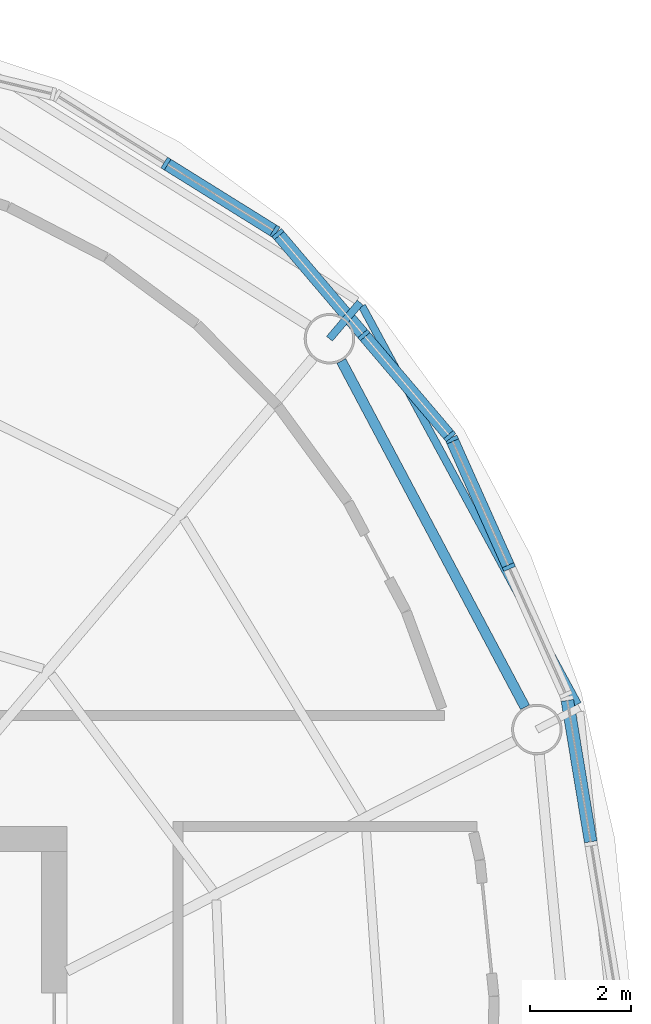
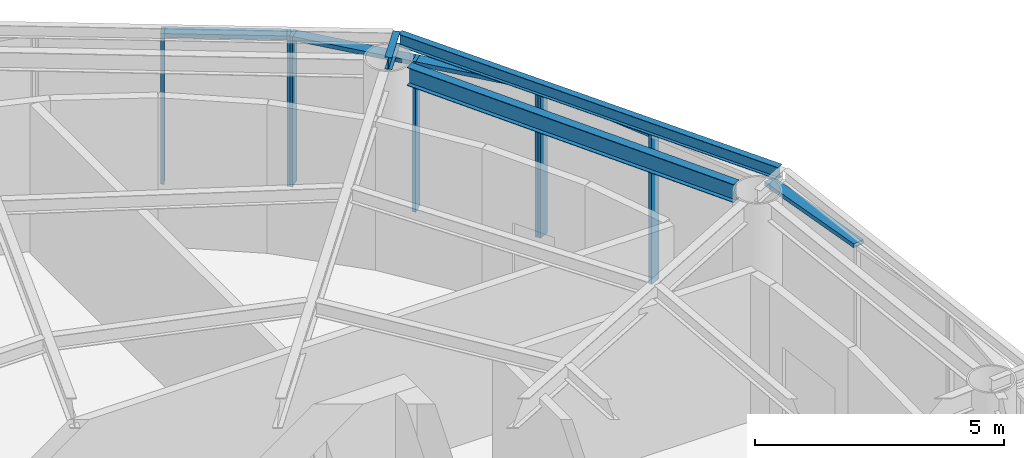
# One storey, part 6 of 11: 12 members, 3 beams, 4 elements without a shape of their own.
"""IFC4 building model written with IfcOpenShell, lengths in metres."""

import ifcopenshell
import ifcopenshell.guid

model = None  # the IFC model being written
_history = None  # IfcOwnerHistory: only IFC2X3 demands one
_inside = {}  # id of a spatial element -> (the spatial element, [elements in it])
_under = {}  # id of a project, library or spatial element -> (it, [spatial elements below it])
_declared = {}  # id of a project -> (the project, [libraries it declares])
_typed = {}  # id of a type object -> (the type object, [elements of that type])
_made_of = {}  # id of a material, layer set ... -> (it, [elements and type objects made of it])


def new_model(schema):
    """Start an empty IFC model of exactly this schema.

    Asked for "IFC4X3", IfcOpenShell would pick the latest addendum, in which some entities
    have other attributes; the version numbers below select the first issue.
    IFC2X3 requires an IfcOwnerHistory on every rooted entity: one is made here for all.
    """
    global model, _history
    if schema == "IFC4X3":
        model = ifcopenshell.file(schema_version=(4, 3, 0, 0))
    else:
        model = ifcopenshell.file(schema=schema)
    _inside.clear()
    _under.clear()
    _declared.clear()
    _typed.clear()
    _made_of.clear()
    _history = None
    if model.schema == "IFC2X3":
        org = make("IfcOrganization", Name="unknown")
        user = make(
            "IfcPersonAndOrganization",
            ThePerson=make("IfcPerson", FamilyName="unknown"),
            TheOrganization=org,
        )
        app = make(
            "IfcApplication",
            ApplicationDeveloper=org,
            Version="unknown",
            ApplicationFullName="unknown",
            ApplicationIdentifier="unknown",
        )
        _history = make(
            "IfcOwnerHistory",
            OwningUser=user,
            OwningApplication=app,
            ChangeAction="ADDED",
            CreationDate=0,
        )
    return model


def make(cls, **values):
    """One entity of the class cls with the attributes given. An attribute that is None is left unset."""
    return model.create_entity(
        cls, **{name: value for name, value in values.items() if value is not None}
    )


def rooted(cls, **values):
    """An entity with a GlobalId (a new one), such as an element, a storey or a relation."""
    return make(cls, GlobalId=ifcopenshell.guid.new(), OwnerHistory=_history, **values)


def si_unit(unit_type, name, prefix=None):
    """IfcSIUnit, for example si_unit("LENGTHUNIT", "METRE", prefix="MILLI")."""
    return make("IfcSIUnit", UnitType=unit_type, Prefix=prefix, Name=name)


def assignment(units):
    """IfcUnitAssignment: the units of a project."""
    return None if units is None else make("IfcUnitAssignment", Units=units)


def point(xyz):
    """IfcCartesianPoint."""
    return None if xyz is None else make("IfcCartesianPoint", Coordinates=xyz)


def direction(xyz):
    """IfcDirection."""
    return None if xyz is None else make("IfcDirection", DirectionRatios=xyz)


def frame(location, z_axis=None, x_axis=None):
    """IfcAxis2Placement3D, a coordinate frame: its origin and axes. An axis left out is left unset."""
    return make(
        "IfcAxis2Placement3D",
        Location=point(location),
        Axis=direction(z_axis),
        RefDirection=direction(x_axis),
    )


def frame_2d(location, x_axis=None):
    """IfcAxis2Placement2D, a coordinate frame in the plane: its origin and x axis."""
    return make(
        "IfcAxis2Placement2D", Location=point(location), RefDirection=direction(x_axis)
    )


def origin():
    """The frame at (0, 0, 0) with its axes left unset."""
    return frame((0.0, 0.0, 0.0))


def origin_2d():
    """The frame at (0, 0) in the plane with its x axis left unset."""
    return frame_2d((0.0, 0.0))


def place(relative_to, where):
    """IfcLocalPlacement: puts the frame where relative to a parent placement (None: the world)."""
    return make(
        "IfcLocalPlacement", PlacementRelTo=relative_to, RelativePlacement=where
    )


def context(
    kind, dimensions, precision=None, world=None, true_north=None, identifier=None
):
    """IfcGeometricRepresentationContext, for example the 3D "Model" context."""
    return make(
        "IfcGeometricRepresentationContext",
        ContextIdentifier=identifier,
        ContextType=kind,
        CoordinateSpaceDimension=dimensions,
        Precision=precision,
        WorldCoordinateSystem=world,
        TrueNorth=true_north,
    )


def subcontext(parent, identifier, kind, view, scale=None):
    """IfcGeometricRepresentationSubContext, for example "Body" below "Model"."""
    return make(
        "IfcGeometricRepresentationSubContext",
        ContextIdentifier=identifier,
        ContextType=kind,
        ParentContext=parent,
        TargetScale=scale,
        TargetView=view,
    )


def project(units=None, contexts=None):
    """IfcProject with its units and contexts."""
    return rooted(
        "IfcProject",
        Name="project",
        RepresentationContexts=contexts,
        UnitsInContext=assignment(units),
    )


def spatial(cls, under=None, at=None, **own):
    """A site, building, storey or space (cls), placed at a placement, below another one or the project."""
    s = rooted(cls, ObjectPlacement=at, **own)
    if under is not None:
        _under.setdefault(under.id(), (under, []))[1].append(s)
    return s


def profile(cls, at=None, kind="AREA", **sizes):
    """A parametric profile (cls). Its sizes go by their IFC names, for example OverallWidth=200.0."""
    return make(cls, ProfileType=kind, Position=at, **sizes)


def rectangle(**sizes):
    """IfcRectangleProfileDef."""
    return profile("IfcRectangleProfileDef", **sizes)


def i_section(**sizes):
    """IfcIShapeProfileDef."""
    return profile("IfcIShapeProfileDef", **sizes)


def extrude(swept, where, along, depth):
    """IfcExtrudedAreaSolid: the profile swept, set in the frame where, extruded along a direction by depth."""
    return make(
        "IfcExtrudedAreaSolid",
        SweptArea=swept,
        Position=where,
        ExtrudedDirection=direction(along),
        Depth=depth,
    )


def shape(context_of_items, identifier, shape_type, items):
    """IfcShapeRepresentation: the items that make up one representation, for example the "Body"."""
    return make(
        "IfcShapeRepresentation",
        ContextOfItems=context_of_items,
        RepresentationIdentifier=identifier,
        RepresentationType=shape_type,
        Items=items,
    )


def material(Name=None, Category=None):
    """IfcMaterial."""
    return make("IfcMaterial", Name=Name, Category=Category)


def material_profile(
    of_material, cross_section, Name=None, Category=None, Priority=None
):
    """IfcMaterialProfile: a cross section and its material."""
    return make(
        "IfcMaterialProfile",
        Name=Name,
        Material=of_material,
        Profile=cross_section,
        Priority=Priority,
        Category=Category,
    )


def profile_set(profiles, Name=None, composite=None):
    """IfcMaterialProfileSet."""
    return make(
        "IfcMaterialProfileSet",
        Name=Name,
        MaterialProfiles=profiles,
        CompositeProfile=composite,
    )


def made_of(thing, what):
    """Note that an element or type object is made of a material, layer set ...; save() writes the relation."""
    if what is not None:
        _made_of.setdefault(what.id(), (what, []))[1].append(thing)
    return thing


def type_object(cls, material=None, **own):
    """A type object (cls), such as IfcWallType, which elements share."""
    return made_of(rooted(cls, **own), material)


def element(
    cls,
    number,
    at=None,
    inside=None,
    cuts=None,
    type_object=None,
    material=None,
    context=None,
    identifier="Body",
    shape_type=None,
    held_by="IfcProductDefinitionShape",
    body=None,
    shapes=None,
    **own,
):
    """One element of the class cls, such as IfcWall. Its Tag is "e" and its number.

    at: its placement. inside: the storey or other place that contains it. cuts: it is an
    opening in that element (IfcRelVoidsElement). A single representation is given by context,
    identifier, shape_type and body (its items); several are given by shapes. held_by: the class
    of the entity that holds the representations. save() writes the other relations.
    """
    e = rooted(cls, Tag="e%d" % number, ObjectPlacement=at, **own)
    if body is not None:
        shapes = [shape(context, identifier, shape_type, body)]
    if shapes is not None:
        e.Representation = make(held_by, Representations=shapes)
    if inside is not None:
        _inside.setdefault(inside.id(), (inside, []))[1].append(e)
    if cuts is not None:
        rooted(
            "IfcRelVoidsElement", RelatingBuildingElement=cuts, RelatedOpeningElement=e
        )
    if type_object is not None:
        _typed.setdefault(type_object.id(), (type_object, []))[1].append(e)
    return made_of(e, material)


def aggregate(whole, parts):
    """IfcRelAggregates: a whole, such as a stair, and the parts it consists of."""
    return rooted("IfcRelAggregates", RelatingObject=whole, RelatedObjects=parts)


def save(model, path):
    """Write the relations noted so far, then the file.

    IfcRelAggregates (storeys below a building ...), IfcRelContainedInSpatialStructure (elements
    in a storey), IfcRelDefinesByType, IfcRelAssociatesMaterial and IfcRelDeclares: one each for
    every whole, place, type object, material and project.
    """
    for whole, parts in _under.values():
        aggregate(whole, parts)
    for where, things in _inside.values():
        rooted(
            "IfcRelContainedInSpatialStructure",
            RelatedElements=things,
            RelatingStructure=where,
        )
    for kind, things in _typed.values():
        rooted("IfcRelDefinesByType", RelatedObjects=things, RelatingType=kind)
    for what, things in _made_of.values():
        rooted("IfcRelAssociatesMaterial", RelatedObjects=things, RelatingMaterial=what)
    for by, libraries in _declared.values():
        rooted("IfcRelDeclares", RelatingContext=by, RelatedDefinitions=libraries)
    model.write(path)


model = new_model("IFC4")

# Units and contexts
model_context = context("Model", 3, precision=1e-05, world=origin(), true_north=direction((0.0, 1.0)))
body_context = subcontext(model_context, "Body", "Model", "MODEL_VIEW")
ifc_project = project(units=[si_unit("LENGTHUNIT", "METRE"), si_unit("AREAUNIT", "SQUARE_METRE"), si_unit("VOLUMEUNIT", "CUBIC_METRE"), si_unit("PLANEANGLEUNIT", "RADIAN"), si_unit("MASSUNIT", "GRAM", prefix="KILO")], contexts=[model_context])

# Site, building, storey
site_placement = place(None, origin())
site = spatial("IfcSite", under=ifc_project, at=site_placement, CompositionType="ELEMENT")
building_placement = place(site_placement, origin())
building = spatial("IfcBuilding", under=site, at=building_placement, Name="Vermilion Reach Broadcast Tower", CompositionType="ELEMENT")
storey_placement = place(building_placement, frame((0.0, 0.0, 317.10009765625)))
storey = spatial("IfcBuildingStorey", under=building, at=storey_placement, Name="L79 CROWN", CompositionType="ELEMENT", Elevation=317.10009765625)

# Curtain wall, members
ifc_material_1 = material(Name="Low-e laminated clear glass in aluminium frame", Category="aluminium")
curtain_wall_type = type_object("IfcCurtainWallType", Name="Crown glazing curtain wall", PredefinedType="NOTDEFINED", material=ifc_material_1)
placement = place(storey_placement, origin())
curtain_wall_1 = element("IfcCurtainWall", 1, at=placement, inside=storey, type_object=curtain_wall_type, Name="Crown glazing L79 CROWN 22", PredefinedType="NOTDEFINED")
ifc_material_2 = material(Name="Anodised aluminium", Category="aluminium")
ifc_material_profile_1 = material_profile(ifc_material_2, rectangle(XDim=0.25, YDim=0.080078125, at=origin_2d()), Name="Crown glazing mullion 80 x 250")
ifc_profile_set_1 = profile_set([ifc_material_profile_1], Name="Anodised aluminium")
member_type_1 = type_object("IfcMemberType", Name="Crown glazing mullion 80 x 250", PredefinedType="MULLION", material=ifc_profile_set_1)
member_1_placement = place(storey_placement, frame((12.35205078125, 12.9365234375, 0.0), z_axis=(0.0, 0.0, 1.0), x_axis=(-0.912988806241, -0.407984607158, 0.0)))
member_1 = element("IfcMember", 2, at=member_1_placement, type_object=member_type_1, Name="Crown glazing mullion L79 CROWN 22.2", PredefinedType="MULLION", context=body_context, shape_type="SweptSolid", body=[
    extrude(rectangle(XDim=0.25, YDim=0.080078125, at=origin_2d()), origin(), (0.0, 0.0, 1.0), 3.699951171875),
])
member_2_placement = place(storey_placement, frame((11.2236328125, 15.46142578125, 0.0), z_axis=(0.0, 0.0, 1.0), x_axis=(-0.912988806241, -0.407984607158, 0.0)))
member_2 = element("IfcMember", 3, at=member_2_placement, type_object=member_type_1, Name="Crown glazing mullion L79 CROWN 22.3", PredefinedType="MULLION", context=body_context, shape_type="SweptSolid", body=[
    extrude(rectangle(XDim=0.25, YDim=0.080078125, at=origin_2d()), origin(), (0.0, 0.0, 1.0), 3.699951171875),
])

curtain_wall_2 = element("IfcCurtainWall", 4, at=placement, inside=storey, type_object=curtain_wall_type, Name="Crown glazing L79 CROWN 23", PredefinedType="NOTDEFINED")
member_3_placement = place(storey_placement, frame((11.181396484375, 15.5283203125, 0.0), z_axis=(0.0, 0.0, 1.0), x_axis=(-0.761749854468, -0.647871252038, 0.0)))
member_3 = element("IfcMember", 5, at=member_3_placement, type_object=member_type_1, Name="Crown glazing mullion L79 CROWN 23.1", PredefinedType="MULLION", context=body_context, shape_type="SweptSolid", body=[
    extrude(rectangle(XDim=0.25, YDim=0.080078125, at=origin_2d()), origin(), (0.0, 0.0, 1.0), 3.699951171875),
])
member_4_placement = place(storey_placement, frame((9.480224609375, 17.52880859375, 0.0), z_axis=(0.0, 0.0, 1.0), x_axis=(-0.761749854468, -0.647871252038, 0.0)))
member_4 = element("IfcMember", 6, at=member_4_placement, type_object=member_type_1, Name="Crown glazing mullion L79 CROWN 23.2", PredefinedType="MULLION", context=body_context, shape_type="SweptSolid", body=[
    extrude(rectangle(XDim=0.25, YDim=0.080078125, at=origin_2d()), origin(), (0.0, 0.0, 1.0), 3.699951171875),
])
member_5_placement = place(storey_placement, frame((7.77880859375, 19.529052734375, 0.0), z_axis=(0.0, 0.0, 1.0), x_axis=(-0.761749854468, -0.647871252038, 0.0)))
member_5 = element("IfcMember", 7, at=member_5_placement, type_object=member_type_1, Name="Crown glazing mullion L79 CROWN 23.3", PredefinedType="MULLION", context=body_context, shape_type="SweptSolid", body=[
    extrude(rectangle(XDim=0.25, YDim=0.080078125, at=origin_2d()), origin(), (0.0, 0.0, 1.0), 3.699951171875),
])

curtain_wall_3 = element("IfcCurtainWall", 8, at=placement, inside=storey, type_object=curtain_wall_type, Name="Crown glazing L79 CROWN 24", PredefinedType="NOTDEFINED")
member_6_placement = place(storey_placement, frame((7.718994140625, 19.580810546875, 0.0), z_axis=(0.0, 0.0, 1.0), x_axis=(-0.52886102859, -0.848708437827, 0.0)))
member_6 = element("IfcMember", 9, at=member_6_placement, type_object=member_type_1, Name="Crown glazing mullion L79 CROWN 24.1", PredefinedType="MULLION", context=body_context, shape_type="SweptSolid", body=[
    extrude(rectangle(XDim=0.25, YDim=0.080078125, at=origin_2d()), origin(), (0.0, 0.0, 1.0), 3.699951171875),
])
member_7_placement = place(storey_placement, frame((5.5615234375, 20.925048828125, 0.0), z_axis=(0.0, 0.0, 1.0), x_axis=(-0.52886102859, -0.848708437827, 0.0)))
member_7 = element("IfcMember", 10, at=member_7_placement, type_object=member_type_1, Name="Crown glazing mullion L79 CROWN 24.2", PredefinedType="MULLION", context=body_context, shape_type="SweptSolid", body=[
    extrude(rectangle(XDim=0.25, YDim=0.080078125, at=origin_2d()), origin(), (0.0, 0.0, 1.0), 3.699951171875),
])

# Curtain wall, member
curtain_wall_4 = element("IfcCurtainWall", 11, at=placement, inside=storey, type_object=curtain_wall_type, Name="Crown glazing L79 CROWN 21", PredefinedType="NOTDEFINED")
ifc_material_3 = material(Name="Anodised aluminium", Category="aluminium")
ifc_material_profile_2 = material_profile(ifc_material_3, rectangle(XDim=0.25, YDim=0.10009765625, at=origin_2d()), Name="Crown glazing transom 250 x 100")
ifc_profile_set_2 = profile_set([ifc_material_profile_2], Name="Anodised aluminium")
member_type_2 = type_object("IfcMemberType", Name="Crown glazing transom 250 x 100", PredefinedType="USERDEFINED", material=ifc_profile_set_2)
member_8_placement = place(storey_placement, frame((13.970947265625, 7.496337890625, 3.64990234375), z_axis=(-0.162599033258, 0.986692228805, 0.0), x_axis=(-0.986692228805, -0.162599033258, 0.0)))
member_8 = element("IfcMember", 12, at=member_8_placement, type_object=member_type_2, Name="Crown glazing transom L79 CROWN 21.2.2", ObjectType="TRANSOM", PredefinedType="USERDEFINED", context=body_context, shape_type="SweptSolid", body=[
    extrude(rectangle(XDim=0.25, YDim=0.10009765625, at=origin_2d()), origin(), (0.0, 0.0, 1.0), 2.837890625),
])
aggregate(curtain_wall_4, [member_8])

# Member
member_9_placement = place(storey_placement, frame((12.335693359375, 12.97314453125, 3.64990234375), z_axis=(-0.40802713302, 0.912969801647, 0.0), x_axis=(-0.912969801647, -0.40802713302, 0.0)))
member_9 = element("IfcMember", 13, at=member_9_placement, type_object=member_type_2, Name="Crown glazing transom L79 CROWN 22.2.2", ObjectType="TRANSOM", PredefinedType="USERDEFINED", context=body_context, shape_type="SweptSolid", body=[
    extrude(rectangle(XDim=0.25, YDim=0.10009765625, at=origin_2d()), origin(), (0.0, 0.0, 1.0), 2.685302734375),
])

aggregate(curtain_wall_1, [member_1, member_2, member_9])

member_10_placement = place(storey_placement, frame((11.155517578125, 15.558837890625, 3.64990234375), z_axis=(-0.647848811341, 0.7617689398, 0.0), x_axis=(-0.7617689398, -0.647848811341, 0.0)))
member_10 = element("IfcMember", 14, at=member_10_placement, type_object=member_type_2, Name="Crown glazing transom L79 CROWN 23.1.2", ObjectType="TRANSOM", PredefinedType="USERDEFINED", context=body_context, shape_type="SweptSolid", body=[
    extrude(rectangle(XDim=0.25, YDim=0.10009765625, at=origin_2d()), origin(), (0.0, 0.0, 1.0), 2.5458984375),
])

member_11_placement = place(storey_placement, frame((9.454345703125, 17.55908203125, 3.64990234375), z_axis=(-0.647904451719, 0.761721616762, 0.0), x_axis=(-0.761721616762, -0.647904451719, 0.0)))
member_11 = element("IfcMember", 15, at=member_11_placement, type_object=member_type_2, Name="Crown glazing transom L79 CROWN 23.2.2", ObjectType="TRANSOM", PredefinedType="USERDEFINED", context=body_context, shape_type="SweptSolid", body=[
    extrude(rectangle(XDim=0.25, YDim=0.10009765625, at=origin_2d()), origin(), (0.0, 0.0, 1.0), 2.546142578125),
])

aggregate(curtain_wall_2, [member_3, member_4, member_5, member_10, member_11])

member_12_placement = place(storey_placement, frame((7.68505859375, 19.601806640625, 3.64990234375), z_axis=(-0.848682779768, 0.528902202043, 0.0), x_axis=(-0.528902202043, -0.848682779768, 0.0)))
member_12 = element("IfcMember", 16, at=member_12_placement, type_object=member_type_2, Name="Crown glazing transom L79 CROWN 24.1.2", ObjectType="TRANSOM", PredefinedType="USERDEFINED", context=body_context, shape_type="SweptSolid", body=[
    extrude(rectangle(XDim=0.25, YDim=0.10009765625, at=origin_2d()), origin(), (0.0, 0.0, 1.0), 2.462158203125),
])

aggregate(curtain_wall_3, [member_6, member_7, member_12])

# Beams
ifc_material_4 = material(Name="Steel S355J2", Category="steel")
ifc_material_profile_3 = material_profile(ifc_material_4, i_section(OverallWidth=0.14990234375, OverallDepth=0.300048828125, WebThickness=0.006591796875, FlangeThickness=0.009033203125, at=origin_2d()), Name="S355J2 HN 300x150x6.5x9")
ifc_profile_set_3 = profile_set([ifc_material_profile_3], Name="Steel S355J2")
beam_type_1 = type_object("IfcBeamType", Name="EB5 HN 300x150x6.5x9", PredefinedType="BEAM", material=ifc_profile_set_3)
beam_1_placement = place(storey_placement, frame((13.7158203125, 10.22119140625, 3.849853515625), z_axis=(-0.476526173128, 0.879160284774, 0.0), x_axis=(-0.879160284774, -0.476526173128, 0.0)))
element("IfcBeam", 17, at=beam_1_placement, inside=storey, type_object=beam_type_1, Name="Edge beam EB5-15", PredefinedType="BEAM", context=body_context, shape_type="SweptSolid", body=[
    extrude(i_section(OverallWidth=0.14990234375, OverallDepth=0.300048828125, WebThickness=0.006591796875, FlangeThickness=0.009033203125, at=origin_2d()), origin(), (0.0, 0.0, 1.0), 8.9638671875),
])
ifc_material_5 = material(Name="Steel S355J2", Category="steel")
ifc_material_profile_4 = material_profile(ifc_material_5, i_section(OverallWidth=0.14990234375, OverallDepth=0.300048828125, WebThickness=0.006591796875, FlangeThickness=0.009033203125, at=origin_2d()), Name="S355J2 HN 300x150x6.5x9")
ifc_profile_set_4 = profile_set([ifc_material_profile_4], Name="Steel S355J2")
beam_type_2 = type_object("IfcBeamType", Name="GS5 HN 300x150x6.5x9", PredefinedType="BEAM", material=ifc_profile_set_4)
beam_2_placement = place(storey_placement, frame((8.799560546875, 17.457275390625, 3.849853515625), z_axis=(0.646665495652, 0.762773712665, 0.0), x_axis=(-0.762773712665, 0.646665495652, 0.0)))
element("IfcBeam", 18, at=beam_2_placement, inside=storey, type_object=beam_type_2, Name="Cantilever stub GS5-16", PredefinedType="BEAM", context=body_context, shape_type="SweptSolid", body=[
    extrude(i_section(OverallWidth=0.14990234375, OverallDepth=0.300048828125, WebThickness=0.006591796875, FlangeThickness=0.009033203125, at=origin_2d()), origin(), (0.0, 0.0, 1.0), 0.937744140625),
])
ifc_material_6 = material(Name="Steel S355J2", Category="steel")
ifc_material_profile_5 = material_profile(ifc_material_6, i_section(OverallWidth=0.199951171875, OverallDepth=0.449951171875, WebThickness=0.009033203125, FlangeThickness=0.013916015625, at=origin_2d()), Name="S355J2 HN 450x200x9x14")
ifc_profile_set_5 = profile_set([ifc_material_profile_5], Name="Steel S355J2")
beam_type_3 = type_object("IfcBeamType", Name="RB5 HN 450x200x9x14", PredefinedType="BEAM", material=ifc_profile_set_5)
beam_3_placement = place(storey_placement, frame((12.671142578125, 10.161865234375, 3.77490234375), z_axis=(-0.468767917375, 0.883321368269, 0.0), x_axis=(-0.883321368269, -0.468767917375, 0.0)))
element("IfcBeam", 19, at=beam_3_placement, inside=storey, type_object=beam_type_3, Name="Ring beam RB5-15", PredefinedType="BEAM", context=body_context, shape_type="SweptSolid", body=[
    extrude(i_section(OverallWidth=0.199951171875, OverallDepth=0.449951171875, WebThickness=0.009033203125, FlangeThickness=0.013916015625, at=origin_2d()), origin(), (0.0, 0.0, 1.0), 7.759033203125),
])

save(model, "model.ifc")
